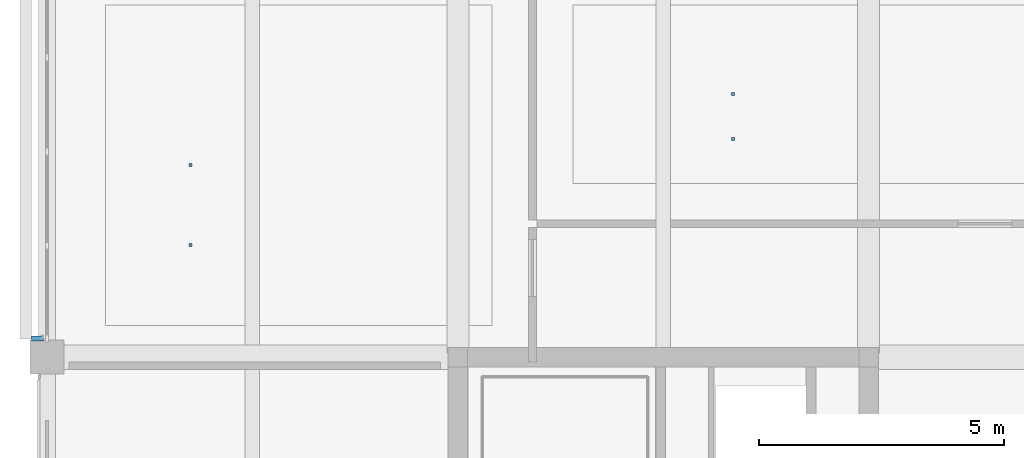
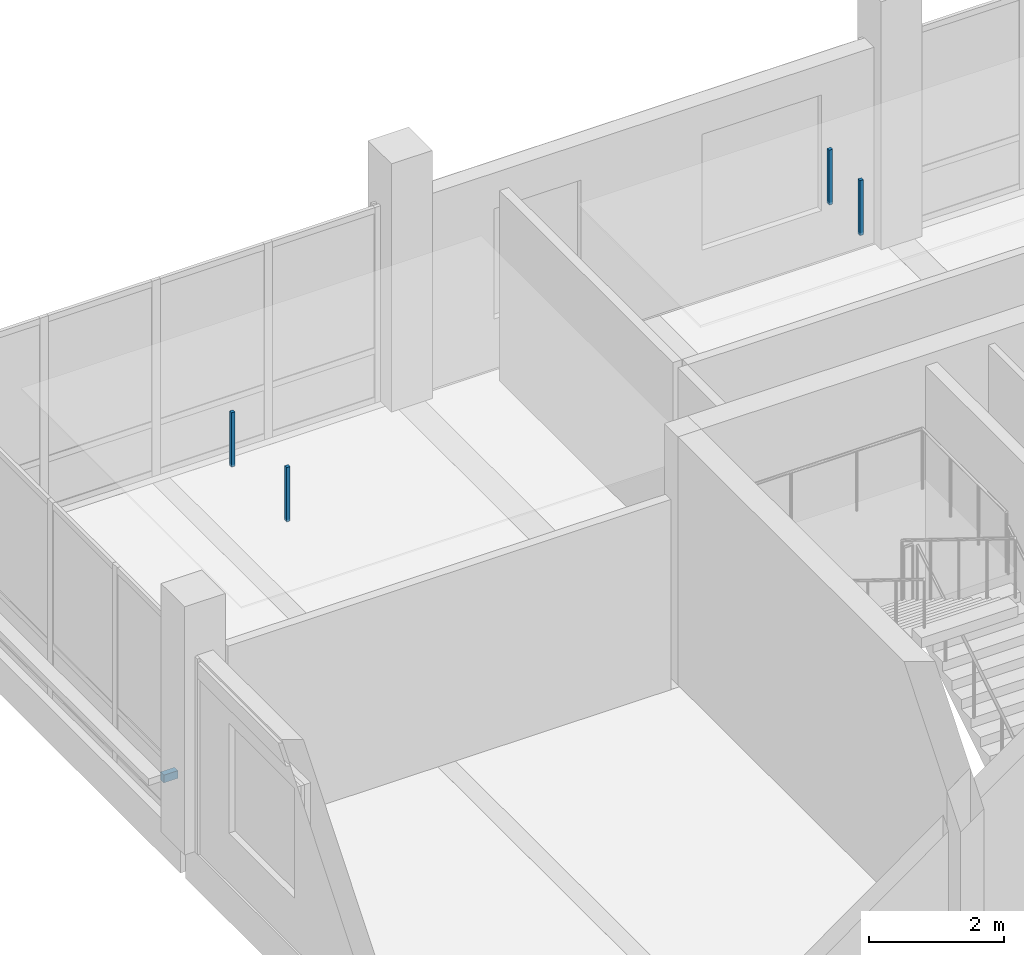
# One storey, part 17 of 35: 5 discrete accessories.
"""IFC4 building model written with IfcOpenShell, lengths in metres."""

from ifc_helpers import new_model, si_unit, direction, frame, origin, origin_2d, place, context, subcontext, project, spatial, rectangle, extrude, material, type_object, element, save


model = new_model("IFC4")

# Units and contexts
model_context = context("Model", 3, precision=1e-05, world=origin(), true_north=direction((0.0, 1.0)))
body_context = subcontext(model_context, "Body", "Model", "MODEL_VIEW")
ifc_project = project(units=[si_unit("LENGTHUNIT", "METRE"), si_unit("AREAUNIT", "SQUARE_METRE"), si_unit("VOLUMEUNIT", "CUBIC_METRE"), si_unit("PLANEANGLEUNIT", "RADIAN"), si_unit("MASSUNIT", "GRAM", prefix="KILO")], contexts=[model_context])

# Site, building, storey
site_placement = place(None, origin())
site = spatial("IfcSite", under=ifc_project, at=site_placement, CompositionType="ELEMENT")
building_placement = place(site_placement, origin())
building = spatial("IfcBuilding", under=site, at=building_placement, Name="Telukmera Botanical Conservatory", CompositionType="ELEMENT")
storey_placement = place(building_placement, frame((0.0, 0.0, 46.5)))
storey = spatial("IfcBuildingStorey", under=building, at=storey_placement, Name="L10", CompositionType="ELEMENT", Elevation=46.5)

# Discrete accessories
ifc_material = material(Name="Steel S355", Category="steel")
discrete_accessory_type_1 = type_object("IfcDiscreteAccessoryType", Name="ACC-CEIL-HGR", PredefinedType="BRACKET", material=ifc_material)
for number, where, z_axis, x_axis, name in (
    (1, (53.337890625, 36.6875, 3.31982421875), (0.0, 0.0, 1.0), (1.0, 0.0, 0.0), "L10 Suspended Ceiling Hanger Rod 029-1"),
    (2, (53.337890625, 38.324951171875, 3.31982421875), (0.0, 0.0, 1.0), (1.0, 0.0, 0.0), "L10 Suspended Ceiling Hanger Rod 029-2"),
):
    element("IfcDiscreteAccessory", number, at=place(storey_placement, frame(where, z_axis=z_axis, x_axis=x_axis)), inside=storey, type_object=discrete_accessory_type_1, Name=name, PredefinedType="BRACKET", context=body_context, shape_type="SweptSolid", body=[
        extrude(rectangle(XDim=0.06005859375, YDim=0.06005859375, at=origin_2d()), origin(), (0.0, 0.0, 1.0), 0.985107421875),
    ])
for number, where, z_axis, x_axis, name in (
    (3, (64.427978515625, 38.862548828125, 3.31005859375), (0.0, 0.0, 1.0), (1.0, 0.0, 0.0), "L10 Suspended Ceiling Hanger Rod 030-1"),
    (4, (64.427978515625, 39.77490234375, 3.31005859375), (0.0, 0.0, 1.0), (1.0, 0.0, 0.0), "L10 Suspended Ceiling Hanger Rod 030-2"),
):
    element("IfcDiscreteAccessory", number, at=place(storey_placement, frame(where, z_axis=z_axis, x_axis=x_axis)), inside=storey, type_object=discrete_accessory_type_1, Name=name, PredefinedType="BRACKET", context=body_context, shape_type="SweptSolid", body=[
        extrude(rectangle(XDim=0.06005859375, YDim=0.06005859375, at=origin_2d()), origin(), (0.0, 0.0, 1.0), 0.9951171875),
    ])
discrete_accessory_type_2 = type_object("IfcDiscreteAccessoryType", Name="Structural Steel Facade Outrigger Fin Bracket", PredefinedType="BRACKET", material=ifc_material)
discrete_accessory_placement = place(storey_placement, frame((50.2099609375, 34.781982421875, 0.8798828125), z_axis=(0.0, 0.0, 1.0), x_axis=(0.0, 1.0, 0.0)))
element("IfcDiscreteAccessory", 5, at=discrete_accessory_placement, inside=storey, type_object=discrete_accessory_type_2, Name="Facade Outrigger Bracket V4:L10:W4 A", PredefinedType="BRACKET", context=body_context, shape_type="SweptSolid", body=[
    extrude(rectangle(XDim=0.10009765625, YDim=0.239990234375, at=origin_2d()), origin(), (0.0, 0.0, 1.0), 0.139892578125),
])

save(model, "model.ifc")
